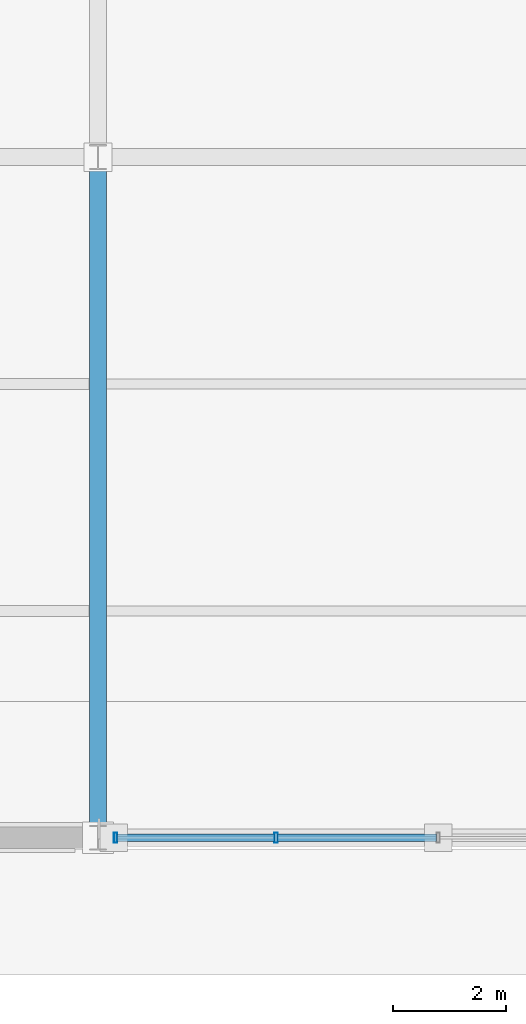
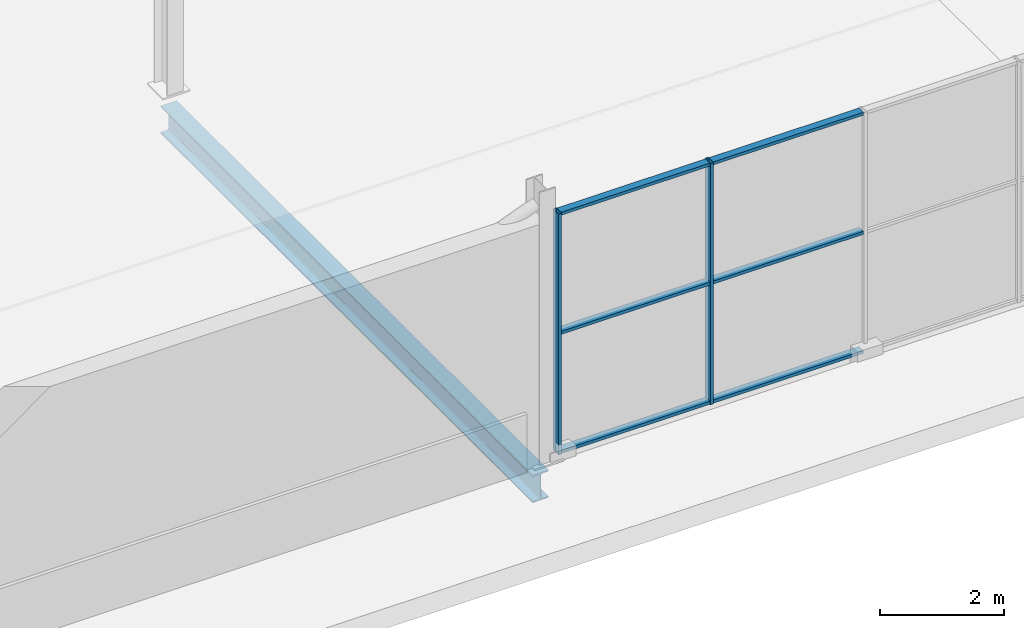
# One storey, part 66 of 196: 8 members, 1 beam, 1 element without a shape of its own.
"""IFC4 building model written with IfcOpenShell, lengths in metres."""

from ifc_helpers import new_model, si_unit, direction, frame, origin, origin_2d, place, context, subcontext, project, spatial, hollow_rectangle, i_section, extrude, material, material_profile, profile_set, type_object, element, aggregate, save


model = new_model("IFC4")

# Units and contexts
model_context = context("Model", 3, precision=1e-05, world=origin(), true_north=direction((0.0, 1.0)))
body_context = subcontext(model_context, "Body", "Model", "MODEL_VIEW")
ifc_project = project(units=[si_unit("LENGTHUNIT", "METRE"), si_unit("AREAUNIT", "SQUARE_METRE"), si_unit("VOLUMEUNIT", "CUBIC_METRE"), si_unit("PLANEANGLEUNIT", "RADIAN"), si_unit("MASSUNIT", "GRAM", prefix="KILO")], contexts=[model_context])

# Site, building, storey
site_placement = place(None, origin())
site = spatial("IfcSite", under=ifc_project, at=site_placement, CompositionType="ELEMENT")
building_placement = place(site_placement, origin())
building = spatial("IfcBuilding", under=site, at=building_placement, Name="Merenkruunu Market Hall", CompositionType="ELEMENT")
storey_placement = place(building_placement, origin())
storey = spatial("IfcBuildingStorey", under=building, at=storey_placement, Name="L00", CompositionType="ELEMENT", Elevation=0.0)

# Curtain wall, members
ifc_material_1 = material(Name="Powder-coated aluminium", Category="aluminium")
curtain_wall_type = type_object("IfcCurtainWallType", Name="Glazed Curtain Wall CW04", PredefinedType="USERDEFINED", material=ifc_material_1)
curtain_wall_placement = place(storey_placement, origin())
curtain_wall = element("IfcCurtainWall", 1, at=curtain_wall_placement, inside=storey, type_object=curtain_wall_type, Name="CW-L00-CWM02-186", ObjectType="GLAZED_FACADE", PredefinedType="USERDEFINED")
ifc_material_profile_1 = material_profile(ifc_material_1, hollow_rectangle(XDim=0.06005859375, YDim=0.179931640625, WallThickness=0.00390625, at=origin_2d()), Name="ALU 60x180x4")
ifc_profile_set_1 = profile_set([ifc_material_profile_1], Name="Powder-coated aluminium")
member_type_1 = type_object("IfcMemberType", Name="Curtain Wall Mullion CWM02", PredefinedType="MULLION", material=ifc_profile_set_1)
member_1_placement = place(storey_placement, frame((103.93994140625, 15.60009765625, 0.0), z_axis=(0.0, 0.0, 1.0), x_axis=(-1.0, 0.0, 0.0)))
member_1 = element("IfcMember", 2, at=member_1_placement, type_object=member_type_1, Name="CW04 mullion 4", PredefinedType="MULLION", context=body_context, shape_type="SweptSolid", body=[
    extrude(hollow_rectangle(XDim=0.06005859375, YDim=0.179931640625, WallThickness=0.00390625, at=origin_2d()), origin(), (0.0, 0.0, 1.0), 4.75),
])
member_2_placement = place(storey_placement, frame((101.110107421875, 15.60009765625, 0.0), z_axis=(0.0, 0.0, 1.0), x_axis=(-1.0, 0.0, 0.0)))
member_2 = element("IfcMember", 3, at=member_2_placement, type_object=member_type_1, Name="CW04 mullion 5", PredefinedType="MULLION", context=body_context, shape_type="SweptSolid", body=[
    extrude(hollow_rectangle(XDim=0.06005859375, YDim=0.179931640625, WallThickness=0.00390625, at=origin_2d()), origin(), (0.0, 0.0, 1.0), 4.75),
])
ifc_material_profile_2 = material_profile(ifc_material_1, hollow_rectangle(XDim=0.06005859375, YDim=0.139892578125, WallThickness=0.00390625, at=origin_2d()), Name="ALU 60x140x4")
ifc_profile_set_2 = profile_set([ifc_material_profile_2], Name="Powder-coated aluminium")
member_type_2 = type_object("IfcMemberType", Name="Curtain Wall Transom CWT02", PredefinedType="USERDEFINED", material=ifc_profile_set_2)
member_3_placement = place(storey_placement, frame((106.77001953125, 15.60009765625, 0.030029296875), z_axis=(-1.0, 0.0, 0.0), x_axis=(0.0, 0.0, 1.0)))
member_3 = element("IfcMember", 4, at=member_3_placement, type_object=member_type_2, Name="CW04 transom 3.1", ObjectType="TRANSOM", PredefinedType="USERDEFINED", context=body_context, shape_type="SweptSolid", body=[
    extrude(hollow_rectangle(XDim=0.06005859375, YDim=0.139892578125, WallThickness=0.00390625, at=origin_2d()), origin(), (0.0, 0.0, 1.0), 2.800048828125),
])
member_4_placement = place(storey_placement, frame((106.77001953125, 15.60009765625, 2.375), z_axis=(-1.0, 0.0, 0.0), x_axis=(0.0, 0.0, 1.0)))
member_4 = element("IfcMember", 5, at=member_4_placement, type_object=member_type_2, Name="CW04 transom 3.2", ObjectType="TRANSOM", PredefinedType="USERDEFINED", context=body_context, shape_type="SweptSolid", body=[
    extrude(hollow_rectangle(XDim=0.06005859375, YDim=0.139892578125, WallThickness=0.00390625, at=origin_2d()), origin(), (0.0, 0.0, 1.0), 2.800048828125),
])
member_5_placement = place(storey_placement, frame((106.77001953125, 15.60009765625, 4.719970703125), z_axis=(-1.0, 0.0, 0.0), x_axis=(0.0, 0.0, 1.0)))
member_5 = element("IfcMember", 6, at=member_5_placement, type_object=member_type_2, Name="CW04 transom 3.3", ObjectType="TRANSOM", PredefinedType="USERDEFINED", context=body_context, shape_type="SweptSolid", body=[
    extrude(hollow_rectangle(XDim=0.06005859375, YDim=0.139892578125, WallThickness=0.00390625, at=origin_2d()), origin(), (0.0, 0.0, 1.0), 2.800048828125),
])
member_6_placement = place(storey_placement, frame((103.909912109375, 15.60009765625, 0.030029296875), z_axis=(-1.0, 0.0, 0.0), x_axis=(0.0, 0.0, 1.0)))
member_6 = element("IfcMember", 7, at=member_6_placement, type_object=member_type_2, Name="CW04 transom 4.1", ObjectType="TRANSOM", PredefinedType="USERDEFINED", context=body_context, shape_type="SweptSolid", body=[
    extrude(hollow_rectangle(XDim=0.06005859375, YDim=0.139892578125, WallThickness=0.00390625, at=origin_2d()), origin(), (0.0, 0.0, 1.0), 2.77001953125),
])
member_7_placement = place(storey_placement, frame((103.909912109375, 15.60009765625, 2.375), z_axis=(-1.0, 0.0, 0.0), x_axis=(0.0, 0.0, 1.0)))
member_7 = element("IfcMember", 8, at=member_7_placement, type_object=member_type_2, Name="CW04 transom 4.2", ObjectType="TRANSOM", PredefinedType="USERDEFINED", context=body_context, shape_type="SweptSolid", body=[
    extrude(hollow_rectangle(XDim=0.06005859375, YDim=0.139892578125, WallThickness=0.00390625, at=origin_2d()), origin(), (0.0, 0.0, 1.0), 2.77001953125),
])
member_8_placement = place(storey_placement, frame((103.909912109375, 15.60009765625, 4.719970703125), z_axis=(-1.0, 0.0, 0.0), x_axis=(0.0, 0.0, 1.0)))
member_8 = element("IfcMember", 9, at=member_8_placement, type_object=member_type_2, Name="CW04 transom 4.3", ObjectType="TRANSOM", PredefinedType="USERDEFINED", context=body_context, shape_type="SweptSolid", body=[
    extrude(hollow_rectangle(XDim=0.06005859375, YDim=0.139892578125, WallThickness=0.00390625, at=origin_2d()), origin(), (0.0, 0.0, 1.0), 2.77001953125),
])
aggregate(curtain_wall, [member_1, member_2, member_3, member_4, member_5, member_6, member_7, member_8])

# Beam
ifc_material_2 = material(Name="Steel S355J2", Category="steel")
ifc_material_profile_3 = material_profile(ifc_material_2, i_section(OverallWidth=0.300048828125, OverallDepth=0.5400390625, WebThickness=0.012451171875, FlangeThickness=0.02392578125, FilletRadius=0.027099609375, at=origin_2d()), Name="HEA 550")
ifc_profile_set_3 = profile_set([ifc_material_profile_3], Name="Steel S355J2")
beam_type = type_object("IfcBeamType", Name="Primary Floor Girder B06", PredefinedType="BEAM", material=ifc_profile_set_3)
beam_placement = place(storey_placement, frame((100.800048828125, 15.60009765625, -0.570068359375), z_axis=(0.0, 1.0, 0.0), x_axis=(-1.0, 0.0, 0.0)))
element("IfcBeam", 10, at=beam_placement, inside=storey, type_object=beam_type, Name="BM-L00-B06-0215", PredefinedType="BEAM", context=body_context, shape_type="SweptSolid", body=[
    extrude(i_section(OverallWidth=0.300048828125, OverallDepth=0.5400390625, WebThickness=0.012451171875, FlangeThickness=0.02392578125, FilletRadius=0.027099609375, at=origin_2d()), origin(), (0.0, 0.0, 1.0), 12.0),
])

save(model, "model.ifc")
